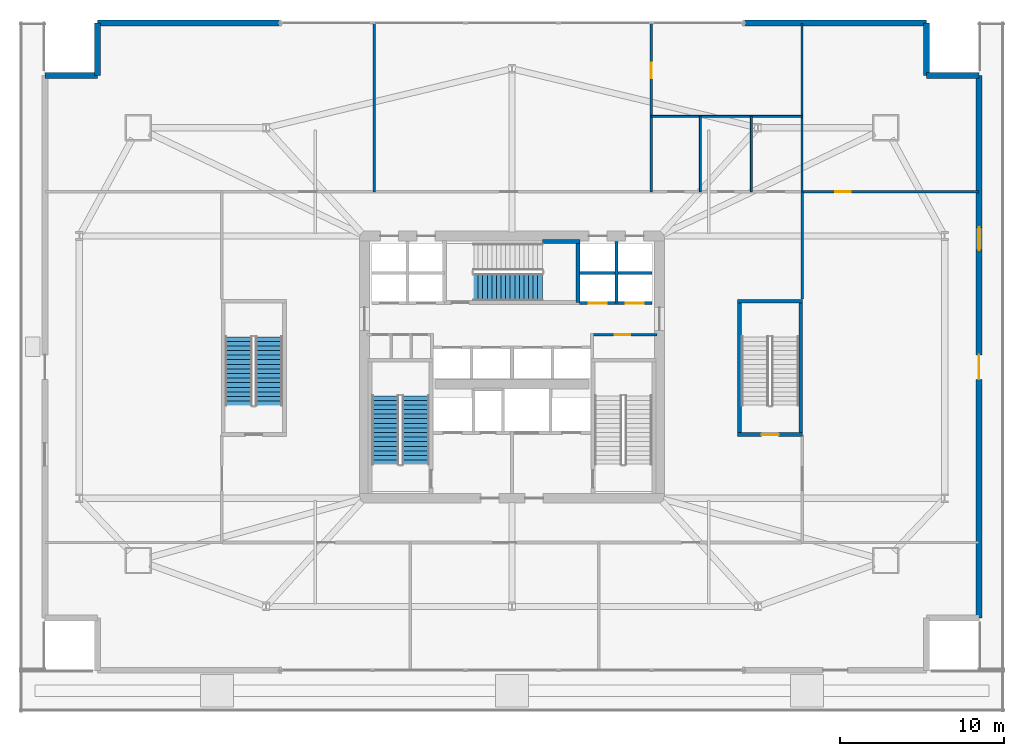
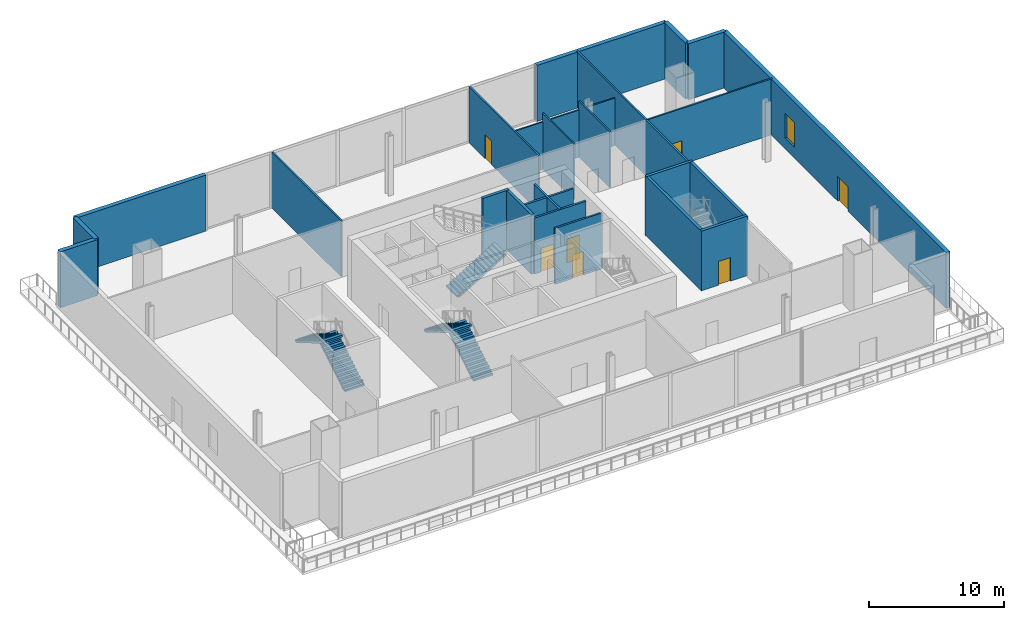
# One storey, part 13 of 20: 25 walls, 7 doors, 5 stair flights, 1 window, 8 openings, 3 elements without a shape of their own.
"""IFC4 building model written with IfcOpenShell, lengths in metres."""

from ifc_helpers import new_model, si_unit, direction, frame, frame_2d, origin, place, context, subcontext, project, spatial, polyline, rectangle, outline, extrude, material, layer, layer_set, type_object, element, fill, aggregate, save


model = new_model("IFC4")

# Units and contexts
model_context = context("Model", 3, precision=1e-05, world=origin(), true_north=direction((0.0, 1.0)))
body_context = subcontext(model_context, "Body", "Model", "MODEL_VIEW")
ifc_project = project(units=[si_unit("LENGTHUNIT", "METRE"), si_unit("AREAUNIT", "SQUARE_METRE"), si_unit("VOLUMEUNIT", "CUBIC_METRE"), si_unit("PLANEANGLEUNIT", "RADIAN"), si_unit("MASSUNIT", "GRAM", prefix="KILO")], contexts=[model_context])

# Site, building, storey
site_placement = place(None, origin())
site = spatial("IfcSite", under=ifc_project, at=site_placement, CompositionType="ELEMENT")
building_placement = place(site_placement, origin())
building = spatial("IfcBuilding", under=site, at=building_placement, Name="Haldenkirk Collegiate Tower", CompositionType="ELEMENT")
storey_placement = place(building_placement, frame((0.0, 0.0, 11.39990234375)))
storey = spatial("IfcBuildingStorey", under=building, at=storey_placement, Name="L02", CompositionType="ELEMENT", Elevation=11.39990234375)

# Wall, openings, door, window
ifc_material_1 = material(Name="Precast concrete f'c 40 MPa", Category="concrete")
ifc_layer_1 = layer(ifc_material_1, 0.360107421875)
ifc_layer_set_1 = layer_set([ifc_layer_1], Name="Precast concrete f'c 40 MPa")
wall_type_1 = type_object("IfcWallType", Name="WL-EXT-POD-360", PredefinedType="STANDARD", material=ifc_layer_set_1)
wall_1_placement = place(storey_placement, frame((64.5, 43.800048828125, 0.0), z_axis=(0.0, 0.0, 1.0), x_axis=(0.0, -1.0, 0.0)))
wall_1 = element("IfcWall", 1, at=wall_1_placement, inside=storey, type_object=wall_type_1, Name="L02 podium bronze precast wall 04", PredefinedType="STANDARD", context=body_context, shape_type="SweptSolid", body=[
    extrude(rectangle(XDim=33.10009765625, YDim=0.360107421875, at=frame_2d((16.550048828125, 0.0))), origin(), (0.0, 0.0, 1.0), 5.070068359375),
])
opening_1_placement = place(wall_1_placement, frame((17.050048828125, 0.0, 0.0)))
opening_1 = element("IfcOpeningElement", 2, at=opening_1_placement, cuts=wall_1, Name="Opening D-PT15", PredefinedType="OPENING", context=body_context, shape_type="SweptSolid", body=[
    extrude(rectangle(XDim=1.5, YDim=2.25, at=frame_2d((0.75, 1.125))), frame((0.0, 0.18994140625, 0.0), z_axis=(0.0, -1.0, 0.0), x_axis=(1.0, 0.0, 0.0)), (0.0, 0.0, 1.0), 0.380126953125),
])
opening_2_placement = place(wall_1_placement, frame((9.26806640625, 0.0, 1.0)))
opening_2 = element("IfcOpeningElement", 3, at=opening_2_placement, cuts=wall_1, Name="Opening W-02", PredefinedType="OPENING", context=body_context, shape_type="SweptSolid", body=[
    extrude(rectangle(XDim=1.39990234375, YDim=2.199951171875, at=frame_2d((0.699951171875, 1.10009765625))), frame((0.0, 0.18994140625, 0.0), z_axis=(0.0, -1.0, 0.0), x_axis=(1.0, 0.0, 0.0)), (0.0, 0.0, 1.0), 0.380126953125),
])
ifc_material_2 = material(Name="Anodised architectural bronze aluminium", Category="aluminium")
ifc_layer_2 = layer(ifc_material_2, 0.080078125)
ifc_layer_set_2 = layer_set([ifc_layer_2], Name="Anodised architectural bronze aluminium")
door_type_1 = type_object("IfcDoorType", Name="DR-EXT-PTER-1500", OperationType="NOTDEFINED", PredefinedType="DOOR", material=ifc_layer_set_2)
door_1_placement = place(opening_1_placement, origin())
door_1 = element("IfcDoor", 4, at=door_1_placement, inside=storey, type_object=door_type_1, Name="L02 E cascade terrace door", OperationType="DOUBLE_DOOR_SINGLE_SWING", OverallHeight=2.25, OverallWidth=1.5, PredefinedType="DOOR", context=body_context, shape_type="SweptSolid", body=[
    extrude(rectangle(XDim=1.5, YDim=2.25, at=frame_2d((0.75, 1.125))), frame((0.0, 0.02490234375, 0.0), z_axis=(0.0, -1.0, 0.0), x_axis=(1.0, 0.0, 0.0)), (0.0, 0.0, 1.0), 0.050048828125),
])
fill(opening_1, door_1)
ifc_material_3 = material(Name="Low-E argon triple insulating glass", Category="glass")
ifc_layer_3 = layer(ifc_material_3, 0.090087890625)
ifc_layer_set_3 = layer_set([ifc_layer_3], Name="Low-E argon triple insulating glass")
window_type = type_object("IfcWindowType", Name="WN-POD-1400X2200", PartitioningType="SINGLE_PANEL", PredefinedType="WINDOW", material=ifc_layer_set_3)
window_placement = place(opening_2_placement, origin())
window = element("IfcWindow", 5, at=window_placement, inside=storey, type_object=window_type, Name="L02 podium academic window 4A", OverallHeight=2.199951171875, OverallWidth=1.39990234375, PartitioningType="SINGLE_PANEL", PredefinedType="WINDOW", context=body_context, shape_type="SweptSolid", body=[
    extrude(rectangle(XDim=1.39990234375, YDim=2.199951171875, at=frame_2d((0.699951171875, 1.10009765625))), frame((0.0, 0.030029296875, 0.0), z_axis=(0.0, -1.0, 0.0), x_axis=(1.0, 0.0, 0.0)), (0.0, 0.0, 1.0), 0.06005859375),
])
fill(opening_2, window)

# Walls
for number, where, z_axis, x_axis, name in (
    (6, (61.300048828125, 43.800048828125, 0.0), (0.0, 0.0, 1.0), (1.0, 0.0, 0.0), "L02 podium bronze precast wall 05"),
    (7, (61.300048828125, 47.0, 0.0), (0.0, 0.0, 1.0), (0.0, -1.0, 0.0), "L02 podium bronze precast wall 06"),
):
    element("IfcWall", number, at=place(storey_placement, frame(where, z_axis=z_axis, x_axis=x_axis)), inside=storey, type_object=wall_type_1, Name=name, PredefinedType="STANDARD", context=body_context, shape_type="SweptSolid", body=[
        extrude(rectangle(XDim=3.199951171875, YDim=0.360107421875, at=frame_2d((1.60009765625, 0.0))), origin(), (0.0, 0.0, 1.0), 5.070068359375),
    ])
for number, where, z_axis, x_axis, name in (
    (8, (10.699951171875, 47.0, 0.0), (0.0, 0.0, 1.0), (1.0, 0.0, 0.0), "L02 podium precast frame pier 7L"),
    (9, (50.16796875, 47.0, 0.0), (0.0, 0.0, 1.0), (1.0, 0.0, 0.0), "L02 podium precast frame pier 7R"),
):
    element("IfcWall", number, at=place(storey_placement, frame(where, z_axis=z_axis, x_axis=x_axis)), inside=storey, type_object=wall_type_1, Name=name, PredefinedType="STANDARD", context=body_context, shape_type="SweptSolid", body=[
        extrude(rectangle(XDim=11.132080078125, YDim=0.360107421875, at=frame_2d((5.56591796875, 0.0))), origin(), (0.0, 0.0, 1.0), 5.070068359375),
    ])
for number, where, z_axis, x_axis, name in (
    (10, (10.699951171875, 43.800048828125, 0.0), (0.0, 0.0, 1.0), (0.0, 1.0, 0.0), "L02 podium bronze precast wall 08"),
    (11, (7.5, 43.800048828125, 0.0), (0.0, 0.0, 1.0), (1.0, 0.0, 0.0), "L02 podium bronze precast wall 09"),
):
    element("IfcWall", number, at=place(storey_placement, frame(where, z_axis=z_axis, x_axis=x_axis)), inside=storey, type_object=wall_type_1, Name=name, PredefinedType="STANDARD", context=body_context, shape_type="SweptSolid", body=[
        extrude(rectangle(XDim=3.199951171875, YDim=0.360107421875, at=frame_2d((1.60009765625, 0.0))), origin(), (0.0, 0.0, 1.0), 5.070068359375),
    ])

# Wall, opening, door
ifc_material_4 = material(Name="Acoustic fire-rated gypsum partition", Category="concrete")
ifc_layer_4 = layer(ifc_material_4, 0.159912109375)
ifc_layer_set_4 = layer_set([ifc_layer_4], Name="Acoustic fire-rated gypsum partition")
wall_type_2 = type_object("IfcWallType", Name="WL-INT-CORR-160", PredefinedType="PARTITIONING", material=ifc_layer_set_4)
wall_2_placement = place(storey_placement, frame((40.800048828125, 27.97998046875, 0.0), z_axis=(0.0, 0.0, 1.0), x_axis=(1.0, 0.0, 0.0)))
wall_2 = element("IfcWall", 12, at=wall_2_placement, inside=storey, type_object=wall_type_2, Name="L02 interior partition IW-L02-VCSE-N", PredefinedType="PARTITIONING", context=body_context, shape_type="SweptSolid", body=[
    extrude(rectangle(XDim=4.050048828125, YDim=0.159912109375, at=frame_2d((2.02490234375, 0.0))), origin(), (0.0, 0.0, 1.0), 5.070068359375),
])
opening_3_placement = place(wall_2_placement, frame((1.47509765625, 0.0, 0.0)))
opening_3 = element("IfcOpeningElement", 13, at=opening_3_placement, cuts=wall_2, Name="Opening D-10", PredefinedType="OPENING", context=body_context, shape_type="SweptSolid", body=[
    extrude(rectangle(XDim=0.949951171875, YDim=2.14990234375, at=frame_2d((0.47509765625, 1.074951171875))), frame((0.0, 0.08984375, 0.0), z_axis=(0.0, -1.0, 0.0), x_axis=(1.0, 0.0, 0.0)), (0.0, 0.0, 1.0), 0.179931640625),
])
ifc_material_5 = material(Name="Solid-core architectural oak fire door", Category="wood")
ifc_layer_5 = layer(ifc_material_5, 0.06005859375)
ifc_layer_set_5 = layer_set([ifc_layer_5], Name="Solid-core architectural oak fire door")
door_type_2 = type_object("IfcDoorType", Name="DR-INT-FD60-950", OperationType="NOTDEFINED", PredefinedType="DOOR", material=ifc_layer_set_5)
door_2_placement = place(opening_3_placement, origin())
door_2 = element("IfcDoor", 14, at=door_2_placement, inside=storey, type_object=door_type_2, Name="L02 core archive vault door", OperationType="SINGLE_SWING_LEFT", OverallHeight=2.14990234375, OverallWidth=0.949951171875, PredefinedType="DOOR", context=body_context, shape_type="SweptSolid", body=[
    extrude(rectangle(XDim=0.949951171875, YDim=2.14990234375, at=frame_2d((0.47509765625, 1.074951171875))), frame((0.0, 0.02490234375, 0.0), z_axis=(0.0, -1.0, 0.0), x_axis=(1.0, 0.0, 0.0)), (0.0, 0.0, 1.0), 0.050048828125),
])
fill(opening_3, door_2)

# Wall
wall_3_placement = place(storey_placement, frame((53.699951171875, 30.14990234375, 0.0), z_axis=(0.0, 0.0, 1.0), x_axis=(0.0, 1.0, 0.0)))
element("IfcWall", 15, at=wall_3_placement, inside=storey, type_object=wall_type_2, Name="L02 interior partition IW-L02-CE2", PredefinedType="PARTITIONING", context=body_context, shape_type="SweptSolid", body=[
    extrude(rectangle(XDim=6.550048828125, YDim=0.159912109375, at=frame_2d((3.27490234375, 0.0))), origin(), (0.0, 0.0, 1.0), 5.070068359375),
])

# Wall, opening, door
ifc_layer_6 = layer(ifc_material_4, 0.139892578125)
ifc_layer_set_6 = layer_set([ifc_layer_6], Name="Acoustic fire-rated gypsum partition")
wall_type_3 = type_object("IfcWallType", Name="WL-INT-DIV-140", PredefinedType="PARTITIONING", material=ifc_layer_set_6)
wall_4_placement = place(storey_placement, frame((53.699951171875, 36.699951171875, 0.0), z_axis=(0.0, 0.0, 1.0), x_axis=(1.0, 0.0, 0.0)))
wall_4 = element("IfcWall", 16, at=wall_4_placement, inside=storey, type_object=wall_type_3, Name="L02 interior partition IW-L02-ECN1", PredefinedType="PARTITIONING", context=body_context, shape_type="SweptSolid", body=[
    extrude(rectangle(XDim=10.760009765625, YDim=0.139892578125, at=frame_2d((5.3798828125, 0.0))), origin(), (0.0, 0.0, 1.0), 5.070068359375),
])
opening_4_placement = place(wall_4_placement, frame((2.02490234375, 0.0, 0.0)))
opening_4 = element("IfcOpeningElement", 17, at=opening_4_placement, cuts=wall_4, Name="Opening D-12", PredefinedType="OPENING", context=body_context, shape_type="SweptSolid", body=[
    extrude(rectangle(XDim=0.949951171875, YDim=2.14990234375, at=frame_2d((0.47509765625, 1.074951171875))), frame((0.0, 0.079833984375, 0.0), z_axis=(0.0, -1.0, 0.0), x_axis=(1.0, 0.0, 0.0)), (0.0, 0.0, 1.0), 0.159912109375),
])
ifc_layer_7 = layer(ifc_material_5, 0.06005859375)
ifc_layer_set_7 = layer_set([ifc_layer_7], Name="Solid-core architectural oak fire door")
door_type_3 = type_object("IfcDoorType", Name="DR-INT-STD-950", OperationType="NOTDEFINED", PredefinedType="DOOR", material=ifc_layer_set_7)
door_3_placement = place(opening_4_placement, origin())
door_3 = element("IfcDoor", 18, at=door_3_placement, inside=storey, type_object=door_type_3, Name="L02 north-east door", OperationType="SINGLE_SWING_RIGHT", OverallHeight=2.14990234375, OverallWidth=0.949951171875, PredefinedType="DOOR", context=body_context, shape_type="SweptSolid", body=[
    extrude(rectangle(XDim=0.949951171875, YDim=2.14990234375, at=frame_2d((0.47509765625, 1.074951171875))), frame((0.0, 0.02490234375, 0.0), z_axis=(0.0, -1.0, 0.0), x_axis=(1.0, 0.0, 0.0)), (0.0, 0.0, 1.0), 0.050048828125),
])
fill(opening_4, door_3)

# Wall
wall_5_placement = place(storey_placement, frame((27.60009765625, 36.699951171875, 0.0), z_axis=(0.0, 0.0, 1.0), x_axis=(0.0, 1.0, 0.0)))
element("IfcWall", 19, at=wall_5_placement, inside=storey, type_object=wall_type_3, Name="L02 interior partition IW-L02-ND1", PredefinedType="PARTITIONING", context=body_context, shape_type="SweptSolid", body=[
    extrude(rectangle(XDim=10.260009765625, YDim=0.139892578125, at=frame_2d((5.1298828125, 0.0))), origin(), (0.0, 0.0, 1.0), 5.070068359375),
])

# Wall, opening, door
wall_6_placement = place(storey_placement, frame((44.5, 36.699951171875, 0.0), z_axis=(0.0, 0.0, 1.0), x_axis=(0.0, 1.0, 0.0)))
wall_6 = element("IfcWall", 20, at=wall_6_placement, inside=storey, type_object=wall_type_3, Name="L02 interior partition IW-L02-ND2", PredefinedType="PARTITIONING", context=body_context, shape_type="SweptSolid", body=[
    extrude(rectangle(XDim=10.260009765625, YDim=0.139892578125, at=frame_2d((5.1298828125, 0.0))), origin(), (0.0, 0.0, 1.0), 5.070068359375),
])
opening_5_placement = place(wall_6_placement, frame((6.925048828125, 0.0, 0.0)))
opening_5 = element("IfcOpeningElement", 21, at=opening_5_placement, cuts=wall_6, Name="Opening D-12", PredefinedType="OPENING", context=body_context, shape_type="SweptSolid", body=[
    extrude(rectangle(XDim=0.949951171875, YDim=2.14990234375, at=frame_2d((0.47509765625, 1.074951171875))), frame((0.0, 0.079833984375, 0.0), z_axis=(0.0, -1.0, 0.0), x_axis=(1.0, 0.0, 0.0)), (0.0, 0.0, 1.0), 0.159912109375),
])
door_4_placement = place(opening_5_placement, origin())
door_4 = element("IfcDoor", 22, at=door_4_placement, inside=storey, type_object=door_type_3, Name="L02 north study door", OperationType="SINGLE_SWING_RIGHT", OverallHeight=2.14990234375, OverallWidth=0.949951171875, PredefinedType="DOOR", context=body_context, shape_type="SweptSolid", body=[
    extrude(rectangle(XDim=0.949951171875, YDim=2.14990234375, at=frame_2d((0.47509765625, 1.074951171875))), frame((0.0, 0.02490234375, 0.0), z_axis=(0.0, -1.0, 0.0), x_axis=(1.0, 0.0, 0.0)), (0.0, 0.0, 1.0), 0.050048828125),
])
fill(opening_5, door_4)

# Wall
wall_7_placement = place(storey_placement, frame((53.699951171875, 36.699951171875, 0.0), z_axis=(0.0, 0.0, 1.0), x_axis=(0.0, 1.0, 0.0)))
element("IfcWall", 23, at=wall_7_placement, inside=storey, type_object=wall_type_3, Name="L02 interior partition IW-L02-WCE", PredefinedType="PARTITIONING", context=body_context, shape_type="SweptSolid", body=[
    extrude(rectangle(XDim=10.260009765625, YDim=0.139892578125, at=frame_2d((5.1298828125, 0.0))), origin(), (0.0, 0.0, 1.0), 5.070068359375),
])

# Wall, openings, doors
ifc_material_6 = material(Name="Fire-rated gypsum shaftboard assembly", Category="concrete")
ifc_layer_8 = layer(ifc_material_6, 0.179931640625)
ifc_layer_set_8 = layer_set([ifc_layer_8], Name="Fire-rated gypsum shaftboard assembly")
wall_type_4 = type_object("IfcWallType", Name="WL-INT-SHAFT-180", PredefinedType="PARTITIONING", material=ifc_layer_set_8)
wall_8_placement = place(storey_placement, frame((40.1201171875, 29.89990234375, 0.0), z_axis=(0.0, 0.0, 1.0), x_axis=(1.0, 0.0, 0.0)))
wall_8 = element("IfcWall", 24, at=wall_8_placement, inside=storey, type_object=wall_type_4, Name="L02 interior partition IW-L02-PMS", PredefinedType="PARTITIONING", context=body_context, shape_type="SweptSolid", body=[
    extrude(rectangle(XDim=4.429931640625, YDim=0.179931640625, at=frame_2d((2.21484375, 0.0))), origin(), (0.0, 0.0, 1.0), 5.070068359375),
])
opening_6_placement = place(wall_8_placement, frame((0.56494140625, 0.0, 0.0)))
opening_6 = element("IfcOpeningElement", 25, at=opening_6_placement, cuts=wall_8, Name="Opening LD-11", PredefinedType="OPENING", context=body_context, shape_type="SweptSolid", body=[
    extrude(rectangle(XDim=1.10009765625, YDim=2.14990234375, at=frame_2d((0.550048828125, 1.074951171875))), frame((0.0, 0.099853515625, 0.0), z_axis=(0.0, -1.0, 0.0), x_axis=(1.0, 0.0, 0.0)), (0.0, 0.0, 1.0), 0.199951171875),
])
opening_7_placement = place(wall_8_placement, frame((2.81494140625, 0.0, 0.0)))
opening_7 = element("IfcOpeningElement", 26, at=opening_7_placement, cuts=wall_8, Name="Opening LD-11", PredefinedType="OPENING", context=body_context, shape_type="SweptSolid", body=[
    extrude(rectangle(XDim=1.10009765625, YDim=2.14990234375, at=frame_2d((0.550048828125, 1.074951171875))), frame((0.0, 0.099853515625, 0.0), z_axis=(0.0, -1.0, 0.0), x_axis=(1.0, 0.0, 0.0)), (0.0, 0.0, 1.0), 0.199951171875),
])
ifc_material_7 = material(Name="Brushed architectural stainless steel", Category="steel")
ifc_layer_9 = layer(ifc_material_7, 0.06005859375)
ifc_layer_set_9 = layer_set([ifc_layer_9], Name="Brushed architectural stainless steel")
door_type_4 = type_object("IfcDoorType", Name="LD-PASS-1100", OperationType="NOTDEFINED", PredefinedType="DOOR", material=ifc_layer_set_9)
door_5_placement = place(opening_6_placement, origin())
door_5 = element("IfcDoor", 27, at=door_5_placement, inside=storey, type_object=door_type_4, Name="L02 Elevator PM1 sliding landing door", OperationType="SLIDING_TO_LEFT", OverallHeight=2.14990234375, OverallWidth=1.10009765625, PredefinedType="DOOR", context=body_context, shape_type="SweptSolid", body=[
    extrude(rectangle(XDim=1.10009765625, YDim=2.14990234375, at=frame_2d((0.550048828125, 1.074951171875))), frame((0.0, 0.02490234375, 0.0), z_axis=(0.0, -1.0, 0.0), x_axis=(1.0, 0.0, 0.0)), (0.0, 0.0, 1.0), 0.050048828125),
])
fill(opening_6, door_5)
door_6_placement = place(opening_7_placement, origin())
door_6 = element("IfcDoor", 28, at=door_6_placement, inside=storey, type_object=door_type_4, Name="L02 Elevator PM2 sliding landing door", OperationType="SLIDING_TO_LEFT", OverallHeight=2.14990234375, OverallWidth=1.10009765625, PredefinedType="DOOR", context=body_context, shape_type="SweptSolid", body=[
    extrude(rectangle(XDim=1.10009765625, YDim=2.14990234375, at=frame_2d((0.550048828125, 1.074951171875))), frame((0.0, 0.02490234375, 0.0), z_axis=(0.0, -1.0, 0.0), x_axis=(1.0, 0.0, 0.0)), (0.0, 0.0, 1.0), 0.050048828125),
])
fill(opening_7, door_6)

# Walls
wall_9_placement = place(storey_placement, frame((40.1201171875, 31.75, 0.0), z_axis=(0.0, 0.0, 1.0), x_axis=(1.0, 0.0, 0.0)))
element("IfcWall", 29, at=wall_9_placement, inside=storey, type_object=wall_type_4, Name="L02 interior partition IW-L02-PMM", PredefinedType="PARTITIONING", context=body_context, shape_type="SweptSolid", body=[
    extrude(rectangle(XDim=4.429931640625, YDim=0.179931640625, at=frame_2d((2.21484375, 0.0))), origin(), (0.0, 0.0, 1.0), 5.070068359375),
])
wall_10_placement = place(storey_placement, frame((42.3701171875, 29.89990234375, 0.0), z_axis=(0.0, 0.0, 1.0), x_axis=(0.0, 1.0, 0.0)))
element("IfcWall", 30, at=wall_10_placement, inside=storey, type_object=wall_type_4, Name="L02 interior partition IW-L02-PMV", PredefinedType="PARTITIONING", context=body_context, shape_type="SweptSolid", body=[
    extrude(rectangle(XDim=3.75, YDim=0.179931640625, at=frame_2d((1.875, 0.0))), origin(), (0.0, 0.0, 1.0), 5.070068359375),
])
ifc_layer_10 = layer(ifc_material_4, 0.1201171875)
ifc_layer_set_10 = layer_set([ifc_layer_10], Name="Acoustic fire-rated gypsum partition")
wall_type_5 = type_object("IfcWallType", Name="WL-INT-WET-120", PredefinedType="PARTITIONING", material=ifc_layer_set_10)
for number, where, z_axis, x_axis, name in (
    (31, (47.5, 36.699951171875, 0.0), (0.0, 0.0, 1.0), (0.0, 1.0, 0.0), "L02 interior partition IW-L02-WCV1"),
    (32, (50.60009765625, 36.699951171875, 0.0), (0.0, 0.0, 1.0), (0.0, 1.0, 0.0), "L02 interior partition IW-L02-WCV2"),
):
    element("IfcWall", number, at=place(storey_placement, frame(where, z_axis=z_axis, x_axis=x_axis)), inside=storey, type_object=wall_type_5, Name=name, PredefinedType="PARTITIONING", context=body_context, shape_type="SweptSolid", body=[
        extrude(rectangle(XDim=4.60009765625, YDim=0.1201171875, at=frame_2d((2.300048828125, 0.0))), origin(), (0.0, 0.0, 1.0), 5.070068359375),
    ])
wall_11_placement = place(storey_placement, frame((44.5, 41.300048828125, 0.0), z_axis=(0.0, 0.0, 1.0), x_axis=(1.0, 0.0, 0.0)))
element("IfcWall", 33, at=wall_11_placement, inside=storey, type_object=wall_type_5, Name="L02 interior partition IW-L02-WCNB", PredefinedType="PARTITIONING", context=body_context, shape_type="SweptSolid", body=[
    extrude(rectangle(XDim=9.199951171875, YDim=0.1201171875, at=frame_2d((4.60009765625, 0.0))), origin(), (0.0, 0.0, 1.0), 4.2919921875),
])
ifc_material_8 = material(Name="Concrete f'c 55 MPa", Category="concrete")
ifc_layer_11 = layer(ifc_material_8, 0.239990234375)
ifc_layer_set_11 = layer_set([ifc_layer_11], Name="Concrete f'c 55 MPa")
wall_type_6 = type_object("IfcWallType", Name="WL-SHAFT-240", PredefinedType="SHEAR", material=ifc_layer_set_11)
wall_12_placement = place(storey_placement, frame((40.02001953125, 29.929931640625, 0.0), z_axis=(0.0, 0.0, 1.0), x_axis=(0.0, 1.0, 0.0)))
element("IfcWall", 34, at=wall_12_placement, inside=storey, type_object=wall_type_6, Name="L02 stair shaft shear wall SW-L02-ST3E", PredefinedType="SHEAR", context=body_context, shape_type="SweptSolid", body=[
    extrude(rectangle(XDim=3.85009765625, YDim=0.239990234375, at=frame_2d((1.925048828125, 0.0))), origin(), (0.0, 0.0, 1.0), 5.400146484375),
])
wall_13_placement = place(storey_placement, frame((37.85009765625, 33.659912109375, 0.0), z_axis=(0.0, 0.0, 1.0), x_axis=(1.0, 0.0, 0.0)))
element("IfcWall", 35, at=wall_13_placement, inside=storey, type_object=wall_type_6, Name="L02 stair shaft shear wall SW-L02-ST3N", PredefinedType="SHEAR", context=body_context, shape_type="SweptSolid", body=[
    extrude(rectangle(XDim=2.289794921875, YDim=0.239990234375, at=frame_2d((1.14501953125, 0.0))), origin(), (0.0, 0.0, 1.0), 5.400146484375),
])
for number, where, z_axis, x_axis, name in (
    (36, (49.8798828125, 21.760009765625, 0.0), (0.0, 0.0, 1.0), (0.0, 1.0, 0.0), "L02 stair shaft shear wall SW-L02-ST5W"),
    (37, (53.6201171875, 21.760009765625, 0.0), (0.0, 0.0, 1.0), (0.0, 1.0, 0.0), "L02 stair shaft shear wall SW-L02-ST5E"),
):
    element("IfcWall", number, at=place(storey_placement, frame(where, z_axis=z_axis, x_axis=x_axis)), inside=storey, type_object=wall_type_6, Name=name, PredefinedType="SHEAR", context=body_context, shape_type="SweptSolid", body=[
        extrude(rectangle(XDim=8.3798828125, YDim=0.239990234375, at=frame_2d((4.18994140625, 0.0))), origin(), (0.0, 0.0, 1.0), 5.400146484375),
    ])

# Wall, opening, door
wall_14_placement = place(storey_placement, frame((49.760009765625, 21.8798828125, 0.0), z_axis=(0.0, 0.0, 1.0), x_axis=(1.0, 0.0, 0.0)))
wall_14 = element("IfcWall", 38, at=wall_14_placement, inside=storey, type_object=wall_type_6, Name="L02 stair shaft shear wall SW-L02-ST5S", PredefinedType="SHEAR", context=body_context, shape_type="SweptSolid", body=[
    extrude(rectangle(XDim=3.97998046875, YDim=0.239990234375, at=frame_2d((1.989990234375, 0.0))), origin(), (0.0, 0.0, 1.0), 5.400146484375),
])
opening_8_placement = place(wall_14_placement, frame((1.465087890625, 0.0, 0.0)))
opening_8 = element("IfcOpeningElement", 39, at=opening_8_placement, cuts=wall_14, Name="Opening D-01", PredefinedType="OPENING", context=body_context, shape_type="SweptSolid", body=[
    extrude(rectangle(XDim=1.050048828125, YDim=2.14990234375, at=frame_2d((0.52490234375, 1.074951171875))), frame((0.0, 0.1298828125, 0.0), z_axis=(0.0, -1.0, 0.0), x_axis=(1.0, 0.0, 0.0)), (0.0, 0.0, 1.0), 0.260009765625),
])
ifc_material_9 = material(Name="Galvanized fire-rated hollow steel door", Category="steel")
ifc_layer_12 = layer(ifc_material_9, 0.06005859375)
ifc_layer_set_12 = layer_set([ifc_layer_12], Name="Galvanized fire-rated hollow steel door")
door_type_5 = type_object("IfcDoorType", Name="DR-STAIR-FD90-1050", OperationType="NOTDEFINED", PredefinedType="DOOR", material=ifc_layer_set_12)
door_7_placement = place(opening_8_placement, origin())
door_7 = element("IfcDoor", 40, at=door_7_placement, inside=storey, type_object=door_type_5, Name="L02 Stair 5 door", OperationType="SINGLE_SWING_LEFT", OverallHeight=2.14990234375, OverallWidth=1.050048828125, PredefinedType="DOOR", context=body_context, shape_type="SweptSolid", body=[
    extrude(rectangle(XDim=1.050048828125, YDim=2.14990234375, at=frame_2d((0.52490234375, 1.074951171875))), frame((0.0, 0.02490234375, 0.0), z_axis=(0.0, -1.0, 0.0), x_axis=(1.0, 0.0, 0.0)), (0.0, 0.0, 1.0), 0.050048828125),
])
fill(opening_8, door_7)

# Wall
wall_15_placement = place(storey_placement, frame((49.760009765625, 30.02001953125, 0.0), z_axis=(0.0, 0.0, 1.0), x_axis=(1.0, 0.0, 0.0)))
element("IfcWall", 41, at=wall_15_placement, inside=storey, type_object=wall_type_6, Name="L02 stair shaft shear wall SW-L02-ST5N", PredefinedType="SHEAR", context=body_context, shape_type="SweptSolid", body=[
    extrude(rectangle(XDim=3.97998046875, YDim=0.239990234375, at=frame_2d((1.989990234375, 0.0))), origin(), (0.0, 0.0, 1.0), 5.400146484375),
])

# Stair, stair flights
ifc_material_10 = material(Name="Concrete f'c 40 MPa", Category="concrete")
stair_type = type_object("IfcStairType", Name="STR-DOGLEG-1650", PredefinedType="HALF_TURN_STAIR", material=ifc_material_10)
stair_1_placement = place(storey_placement, origin())
stair_1 = element("IfcStair", 42, at=stair_1_placement, inside=storey, type_object=stair_type, Name="L02 Core Exit Stair ST-1", PredefinedType="HALF_TURN_STAIR")
stair_flight_type = type_object("IfcStairFlightType", Name="STF-FLIGHT-1650", PredefinedType="STRAIGHT", material=ifc_material_10)
stair_flight_1_placement = place(storey_placement, frame((30.125, 20.050048828125, 0.0), z_axis=(0.0, 0.0, 1.0), x_axis=(0.0, 1.0, 0.0)))
stair_flight_1 = element("IfcStairFlight", 43, at=stair_flight_1_placement, type_object=stair_flight_type, Name="ST-1 flight 1", NumberOfRisers=16, NumberOfTreads=15, PredefinedType="STRAIGHT", RiserHeight=0.16875, TreadLength=0.28, context=body_context, shape_type="SweptSolid", body=[
    extrude(outline(polyline([(0.0, 0.0), (0.0, 0.168701171875), (0.280029296875, 0.168701171875), (0.280029296875, 0.33740234375), (0.56005859375, 0.33740234375), (0.56005859375, 0.50634765625), (0.840087890625, 0.50634765625), (0.840087890625, 0.675048828125), (1.1201171875, 0.675048828125), (1.1201171875, 0.84375), (1.39990234375, 0.84375), (1.39990234375, 1.012451171875), (1.679931640625, 1.012451171875), (1.679931640625, 1.18115234375), (1.9599609375, 1.18115234375), (1.9599609375, 1.35009765625), (2.239990234375, 1.35009765625), (2.239990234375, 1.518798828125), (2.52001953125, 1.518798828125), (2.52001953125, 1.6875), (2.800048828125, 1.6875), (2.800048828125, 1.856201171875), (3.080078125, 1.856201171875), (3.080078125, 2.02490234375), (3.360107421875, 2.02490234375), (3.360107421875, 2.19384765625), (3.639892578125, 2.19384765625), (3.639892578125, 2.362548828125), (3.919921875, 2.362548828125), (3.919921875, 2.53125), (4.199951171875, 2.53125), (4.199951171875, 2.699951171875), (4.199951171875, 2.356201171875), (0.29052734375, 0.0), (0.0, 0.0)])), frame((0.0, 0.824951171875, 0.0), z_axis=(0.0, -1.0, 0.0), x_axis=(1.0, 0.0, 0.0)), (0.0, 0.0, 1.0), 1.64990234375),
])
stair_flight_2_placement = place(storey_placement, frame((28.27490234375, 24.25, 2.7001953125), z_axis=(0.0, 0.0, 1.0), x_axis=(0.0, -1.0, 0.0)))
stair_flight_2 = element("IfcStairFlight", 44, at=stair_flight_2_placement, type_object=stair_flight_type, Name="ST-1 flight 2", NumberOfRisers=16, NumberOfTreads=15, PredefinedType="STRAIGHT", RiserHeight=0.16875, TreadLength=0.28, context=body_context, shape_type="SweptSolid", body=[
    extrude(outline(polyline([(0.0, 0.0), (0.0, 0.168701171875), (0.280029296875, 0.168701171875), (0.280029296875, 0.33740234375), (0.56005859375, 0.33740234375), (0.56005859375, 0.50634765625), (0.840087890625, 0.50634765625), (0.840087890625, 0.675048828125), (1.1201171875, 0.675048828125), (1.1201171875, 0.84375), (1.39990234375, 0.84375), (1.39990234375, 1.012451171875), (1.679931640625, 1.012451171875), (1.679931640625, 1.18115234375), (1.9599609375, 1.18115234375), (1.9599609375, 1.35009765625), (2.239990234375, 1.35009765625), (2.239990234375, 1.518798828125), (2.52001953125, 1.518798828125), (2.52001953125, 1.6875), (2.800048828125, 1.6875), (2.800048828125, 1.856201171875), (3.080078125, 1.856201171875), (3.080078125, 2.02490234375), (3.360107421875, 2.02490234375), (3.360107421875, 2.19384765625), (3.639892578125, 2.19384765625), (3.639892578125, 2.362548828125), (3.919921875, 2.362548828125), (3.919921875, 2.53125), (4.199951171875, 2.53125), (4.199951171875, 2.699951171875), (4.199951171875, 2.356201171875), (0.29052734375, 0.0), (0.0, 0.0)])), frame((0.0, 0.824951171875, 0.0), z_axis=(0.0, -1.0, 0.0), x_axis=(1.0, 0.0, 0.0)), (0.0, 0.0, 1.0), 1.64990234375),
])
aggregate(stair_1, [stair_flight_1, stair_flight_2])

# Stair, stair flight
stair_2_placement = place(storey_placement, origin())
stair_2 = element("IfcStair", 45, at=stair_2_placement, inside=storey, type_object=stair_type, Name="L02 Core Exit Stair ST-3", PredefinedType="HALF_TURN_STAIR")
stair_flight_3_placement = place(storey_placement, frame((33.64990234375, 30.875, 0.0), z_axis=(0.0, 0.0, 1.0), x_axis=(1.0, 0.0, 0.0)))
stair_flight_3 = element("IfcStairFlight", 46, at=stair_flight_3_placement, type_object=stair_flight_type, Name="ST-3 flight 1", NumberOfRisers=16, NumberOfTreads=15, PredefinedType="STRAIGHT", RiserHeight=0.16875, TreadLength=0.28, context=body_context, shape_type="SweptSolid", body=[
    extrude(outline(polyline([(0.0, 0.0), (0.0, 0.168701171875), (0.280029296875, 0.168701171875), (0.280029296875, 0.33740234375), (0.56005859375, 0.33740234375), (0.56005859375, 0.50634765625), (0.840087890625, 0.50634765625), (0.840087890625, 0.675048828125), (1.1201171875, 0.675048828125), (1.1201171875, 0.84375), (1.39990234375, 0.84375), (1.39990234375, 1.012451171875), (1.679931640625, 1.012451171875), (1.679931640625, 1.18115234375), (1.9599609375, 1.18115234375), (1.9599609375, 1.35009765625), (2.239990234375, 1.35009765625), (2.239990234375, 1.518798828125), (2.52001953125, 1.518798828125), (2.52001953125, 1.6875), (2.800048828125, 1.6875), (2.800048828125, 1.856201171875), (3.080078125, 1.856201171875), (3.080078125, 2.02490234375), (3.360107421875, 2.02490234375), (3.360107421875, 2.19384765625), (3.639892578125, 2.19384765625), (3.639892578125, 2.362548828125), (3.919921875, 2.362548828125), (3.919921875, 2.53125), (4.199951171875, 2.53125), (4.199951171875, 2.699951171875), (4.199951171875, 2.356201171875), (0.29052734375, 0.0), (0.0, 0.0)])), frame((0.0, 0.824951171875, 0.0), z_axis=(0.0, -1.0, 0.0), x_axis=(1.0, 0.0, 0.0)), (0.0, 0.0, 1.0), 1.64990234375),
])
aggregate(stair_2, [stair_flight_3])

# Stair, stair flights
stair_3_placement = place(storey_placement, origin())
stair_3 = element("IfcStair", 47, at=stair_3_placement, inside=storey, type_object=stair_type, Name="L02 Podium Exit Stair ST-4", PredefinedType="HALF_TURN_STAIR")
stair_flight_4_placement = place(storey_placement, frame((21.175048828125, 23.64990234375, 0.0), z_axis=(0.0, 0.0, 1.0), x_axis=(0.0, 1.0, 0.0)))
stair_flight_4 = element("IfcStairFlight", 48, at=stair_flight_4_placement, type_object=stair_flight_type, Name="ST-4 flight 1", NumberOfRisers=16, NumberOfTreads=15, PredefinedType="STRAIGHT", RiserHeight=0.16875, TreadLength=0.28, context=body_context, shape_type="SweptSolid", body=[
    extrude(outline(polyline([(0.0, 0.0), (0.0, 0.168701171875), (0.280029296875, 0.168701171875), (0.280029296875, 0.33740234375), (0.56005859375, 0.33740234375), (0.56005859375, 0.50634765625), (0.840087890625, 0.50634765625), (0.840087890625, 0.675048828125), (1.1201171875, 0.675048828125), (1.1201171875, 0.84375), (1.39990234375, 0.84375), (1.39990234375, 1.012451171875), (1.679931640625, 1.012451171875), (1.679931640625, 1.18115234375), (1.9599609375, 1.18115234375), (1.9599609375, 1.35009765625), (2.239990234375, 1.35009765625), (2.239990234375, 1.518798828125), (2.52001953125, 1.518798828125), (2.52001953125, 1.6875), (2.800048828125, 1.6875), (2.800048828125, 1.856201171875), (3.080078125, 1.856201171875), (3.080078125, 2.02490234375), (3.360107421875, 2.02490234375), (3.360107421875, 2.19384765625), (3.639892578125, 2.19384765625), (3.639892578125, 2.362548828125), (3.919921875, 2.362548828125), (3.919921875, 2.53125), (4.199951171875, 2.53125), (4.199951171875, 2.699951171875), (4.199951171875, 2.356201171875), (0.29052734375, 0.0), (0.0, 0.0)])), frame((0.0, 0.824951171875, 0.0), z_axis=(0.0, -1.0, 0.0), x_axis=(1.0, 0.0, 0.0)), (0.0, 0.0, 1.0), 1.64990234375),
])
stair_flight_5_placement = place(storey_placement, frame((19.324951171875, 27.85009765625, 2.7001953125), z_axis=(0.0, 0.0, 1.0), x_axis=(0.0, -1.0, 0.0)))
stair_flight_5 = element("IfcStairFlight", 49, at=stair_flight_5_placement, type_object=stair_flight_type, Name="ST-4 flight 2", NumberOfRisers=16, NumberOfTreads=15, PredefinedType="STRAIGHT", RiserHeight=0.16875, TreadLength=0.28, context=body_context, shape_type="SweptSolid", body=[
    extrude(outline(polyline([(0.0, 0.0), (0.0, 0.168701171875), (0.280029296875, 0.168701171875), (0.280029296875, 0.33740234375), (0.56005859375, 0.33740234375), (0.56005859375, 0.50634765625), (0.840087890625, 0.50634765625), (0.840087890625, 0.675048828125), (1.1201171875, 0.675048828125), (1.1201171875, 0.84375), (1.39990234375, 0.84375), (1.39990234375, 1.012451171875), (1.679931640625, 1.012451171875), (1.679931640625, 1.18115234375), (1.9599609375, 1.18115234375), (1.9599609375, 1.35009765625), (2.239990234375, 1.35009765625), (2.239990234375, 1.518798828125), (2.52001953125, 1.518798828125), (2.52001953125, 1.6875), (2.800048828125, 1.6875), (2.800048828125, 1.856201171875), (3.080078125, 1.856201171875), (3.080078125, 2.02490234375), (3.360107421875, 2.02490234375), (3.360107421875, 2.19384765625), (3.639892578125, 2.19384765625), (3.639892578125, 2.362548828125), (3.919921875, 2.362548828125), (3.919921875, 2.53125), (4.199951171875, 2.53125), (4.199951171875, 2.699951171875), (4.199951171875, 2.356201171875), (0.29052734375, 0.0), (0.0, 0.0)])), frame((0.0, 0.824951171875, 0.0), z_axis=(0.0, -1.0, 0.0), x_axis=(1.0, 0.0, 0.0)), (0.0, 0.0, 1.0), 1.64990234375),
])
aggregate(stair_3, [stair_flight_4, stair_flight_5])

save(model, "model.ifc")
